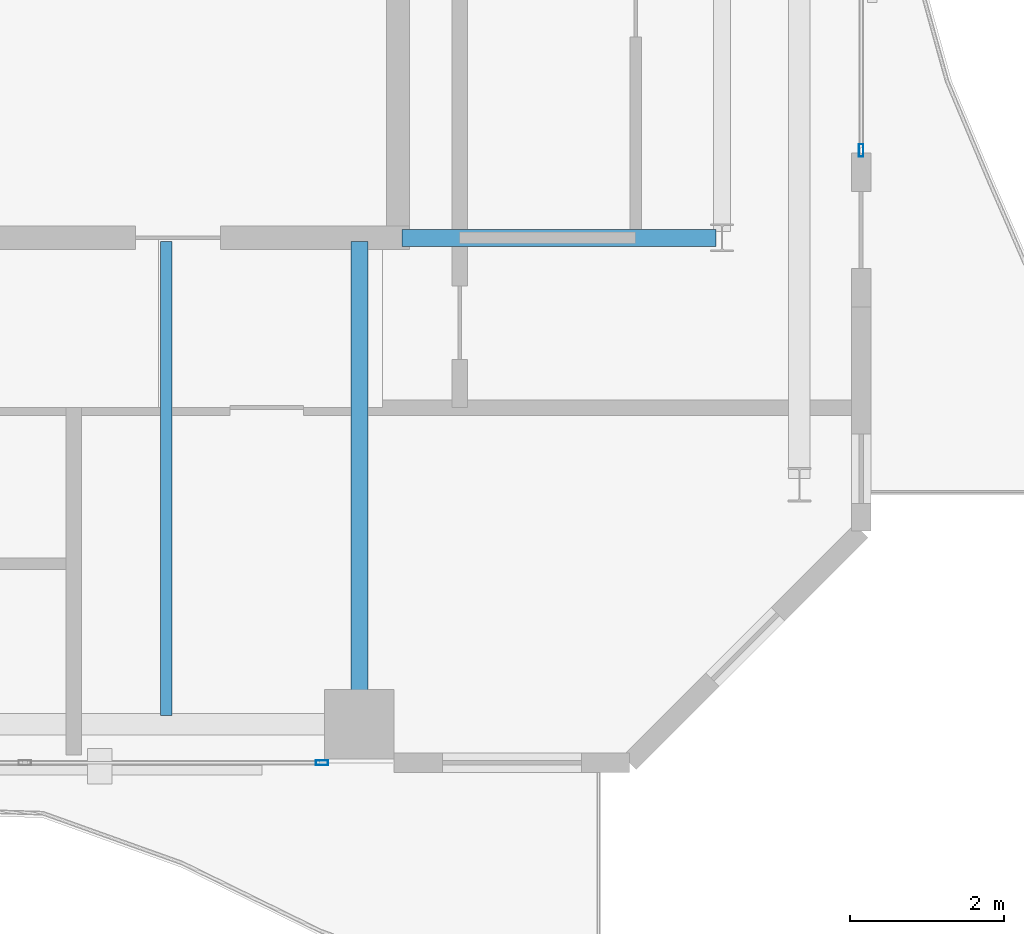
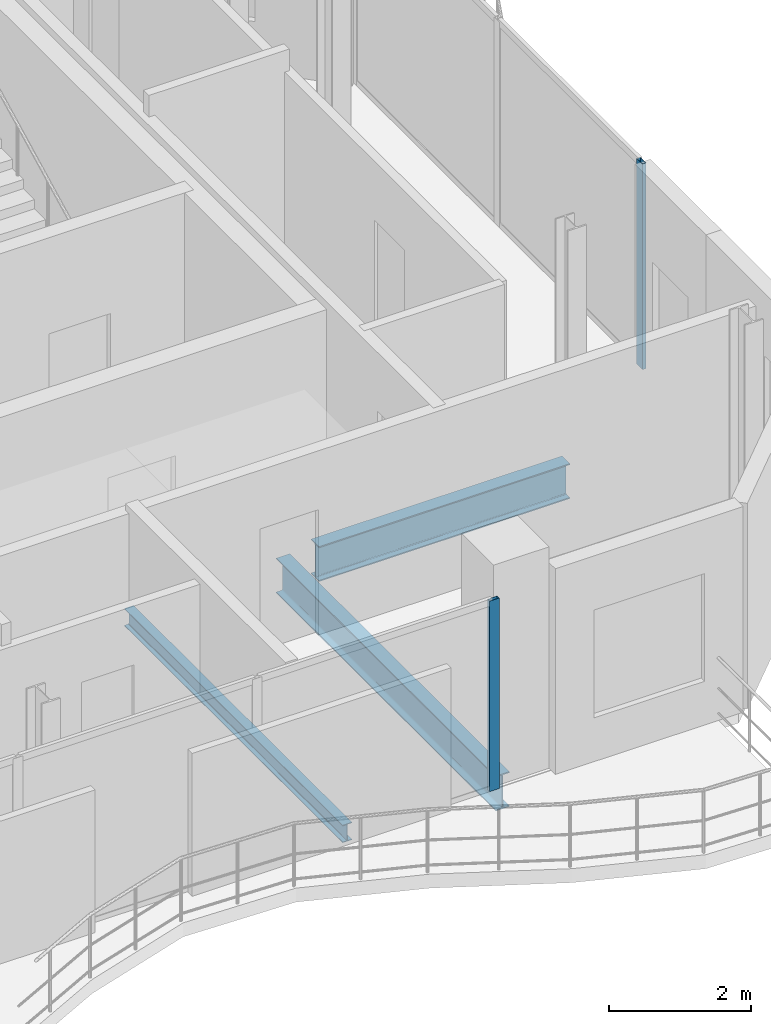
# One storey, part 14 of 23: 3 beams, 2 members, 2 elements without a shape of their own.
"""IFC4 building model written with IfcOpenShell, lengths in metres."""

from ifc_helpers import new_model, si_unit, direction, frame, origin, origin_2d, place, context, subcontext, project, spatial, hollow_rectangle, i_section, extrude, material, layer, layer_set, material_profile, profile_set, type_object, element, aggregate, save


model = new_model("IFC4")

# Units and contexts
model_context = context("Model", 3, precision=1e-05, world=origin(), true_north=direction((0.0, 1.0)))
body_context = subcontext(model_context, "Body", "Model", "MODEL_VIEW")
ifc_project = project(units=[si_unit("LENGTHUNIT", "METRE"), si_unit("AREAUNIT", "SQUARE_METRE"), si_unit("VOLUMEUNIT", "CUBIC_METRE"), si_unit("PLANEANGLEUNIT", "RADIAN"), si_unit("MASSUNIT", "GRAM", prefix="KILO")], contexts=[model_context])

# Site, building, storey
site_placement = place(None, origin())
site = spatial("IfcSite", under=ifc_project, at=site_placement, CompositionType="ELEMENT")
building_placement = place(site_placement, origin())
building = spatial("IfcBuilding", under=site, at=building_placement, Name="Catumbela Crestline Tower", CompositionType="ELEMENT")
storey_placement = place(building_placement, frame((0.0, 0.0, 241.2)))
storey = spatial("IfcBuildingStorey", under=building, at=storey_placement, Name="L62", CompositionType="ELEMENT", Elevation=241.2)

# Beams
ifc_material_1 = material(Name="Structural steel S355J2", Category="steel")
ifc_material_profile_1 = material_profile(ifc_material_1, i_section(OverallWidth=0.22, OverallDepth=0.6, WebThickness=0.012, FlangeThickness=0.019, FilletRadius=0.024, at=origin_2d()), Name="IPE 600")
ifc_profile_set_1 = profile_set([ifc_material_profile_1], Name="Structural steel S355J2")
beam_type_1 = type_object("IfcBeamType", Name="BG-IPE600", PredefinedType="BEAM", material=ifc_profile_set_1)
beam_1_placement = place(storey_placement, frame((40.05, 30.8, -0.56), z_axis=(1.0, 0.0, 0.0), x_axis=(0.0, 1.0, 0.0)))
element("IfcBeam", 1, at=beam_1_placement, inside=storey, type_object=beam_type_1, Name="L62 Beam BM-L62-M08", PredefinedType="BEAM", context=body_context, shape_type="SweptSolid", body=[
    extrude(i_section(OverallWidth=0.22, OverallDepth=0.6, WebThickness=0.012, FlangeThickness=0.019, FilletRadius=0.024, at=origin_2d()), origin(), (0.0, 0.0, 1.0), 4.07),
])
beam_2_placement = place(storey_placement, frame((39.5, 24.58, -0.56), z_axis=(0.0, 1.0, 0.0), x_axis=(-1.0, 0.0, 0.0)))
element("IfcBeam", 2, at=beam_2_placement, inside=storey, type_object=beam_type_1, Name="L62 Beam BM-L62-SNS18", PredefinedType="BEAM", context=body_context, shape_type="SweptSolid", body=[
    extrude(i_section(OverallWidth=0.22, OverallDepth=0.6, WebThickness=0.012, FlangeThickness=0.019, FilletRadius=0.024, at=origin_2d()), origin(), (0.0, 0.0, 1.0), 6.17),
])
ifc_material_profile_2 = material_profile(ifc_material_1, i_section(OverallWidth=0.15, OverallDepth=0.3, WebThickness=0.0071, FlangeThickness=0.0107, FilletRadius=0.015, at=origin_2d()), Name="IPE 300")
ifc_profile_set_2 = profile_set([ifc_material_profile_2], Name="Structural steel S355J2")
beam_type_2 = type_object("IfcBeamType", Name="BJ-IPE300", PredefinedType="JOIST", material=ifc_profile_set_2)
beam_3_placement = place(storey_placement, frame((37.0, 24.61, -0.41), z_axis=(0.0, 1.0, 0.0), x_axis=(-1.0, 0.0, 0.0)))
element("IfcBeam", 3, at=beam_3_placement, inside=storey, type_object=beam_type_2, Name="L62 Joist JS-L62-SP26", PredefinedType="JOIST", context=body_context, shape_type="SweptSolid", body=[
    extrude(i_section(OverallWidth=0.15, OverallDepth=0.3, WebThickness=0.0071, FlangeThickness=0.0107, FilletRadius=0.015, at=origin_2d()), origin(), (0.0, 0.0, 1.0), 6.14),
])

# Curtain wall, member
ifc_material_2 = material(Name="Aluminium alloy AW-6060-T66", Category="aluminium")
ifc_layer = layer(ifc_material_2, 0.18, Name="Aluminium alloy AW-6060-T66")
ifc_layer_set = layer_set([ifc_layer], Name="Aluminium alloy AW-6060-T66")
curtain_wall_type = type_object("IfcCurtainWallType", Name="CWU-Z4", PredefinedType="USERDEFINED", material=ifc_layer_set)
curtain_wall_1_placement = place(storey_placement, origin())
curtain_wall_1 = element("IfcCurtainWall", 4, at=curtain_wall_1_placement, inside=storey, type_object=curtain_wall_type, Name="L62 Unitised Curtain Wall CW-L62-E3S2", ObjectType="UNITISED", PredefinedType="USERDEFINED")
ifc_material_profile_3 = material_profile(ifc_material_2, hollow_rectangle(XDim=0.06, YDim=0.16, WallThickness=0.004, at=origin_2d()), Name="ALU 160x60x4")
ifc_profile_set_3 = profile_set([ifc_material_profile_3], Name="Aluminium alloy AW-6060-T66")
member_type = type_object("IfcMemberType", Name="MUL-160X60", PredefinedType="MULLION", material=ifc_profile_set_3)
member_1_placement = place(storey_placement, frame((39.0175, 24.0, 0.0), z_axis=(0.0, 0.0, 1.0), x_axis=(0.0, 1.0, 0.0)))
member_1 = element("IfcMember", 5, at=member_1_placement, type_object=member_type, Name="CWU-Z4 mullion 4", PredefinedType="MULLION", context=body_context, shape_type="SweptSolid", body=[
    extrude(hollow_rectangle(XDim=0.06, YDim=0.16, WallThickness=0.004, at=origin_2d()), origin(), (0.0, 0.0, 1.0), 3.27),
])
aggregate(curtain_wall_1, [member_1])

curtain_wall_2_placement = place(storey_placement, origin())
curtain_wall_2 = element("IfcCurtainWall", 6, at=curtain_wall_2_placement, inside=storey, type_object=curtain_wall_type, Name="L62 Unitised Curtain Wall CW-L62-E5S2", ObjectType="UNITISED", PredefinedType="USERDEFINED")
member_2_placement = place(storey_placement, frame((46.0, 31.9325, 0.0), z_axis=(0.0, 0.0, 1.0), x_axis=(-1.0, 0.0, 0.0)))
member_2 = element("IfcMember", 7, at=member_2_placement, type_object=member_type, Name="CWU-Z4 mullion 1", PredefinedType="MULLION", context=body_context, shape_type="SweptSolid", body=[
    extrude(hollow_rectangle(XDim=0.06, YDim=0.16, WallThickness=0.004, at=origin_2d()), origin(), (0.0, 0.0, 1.0), 3.53),
])
aggregate(curtain_wall_2, [member_2])

save(model, "model.ifc")
